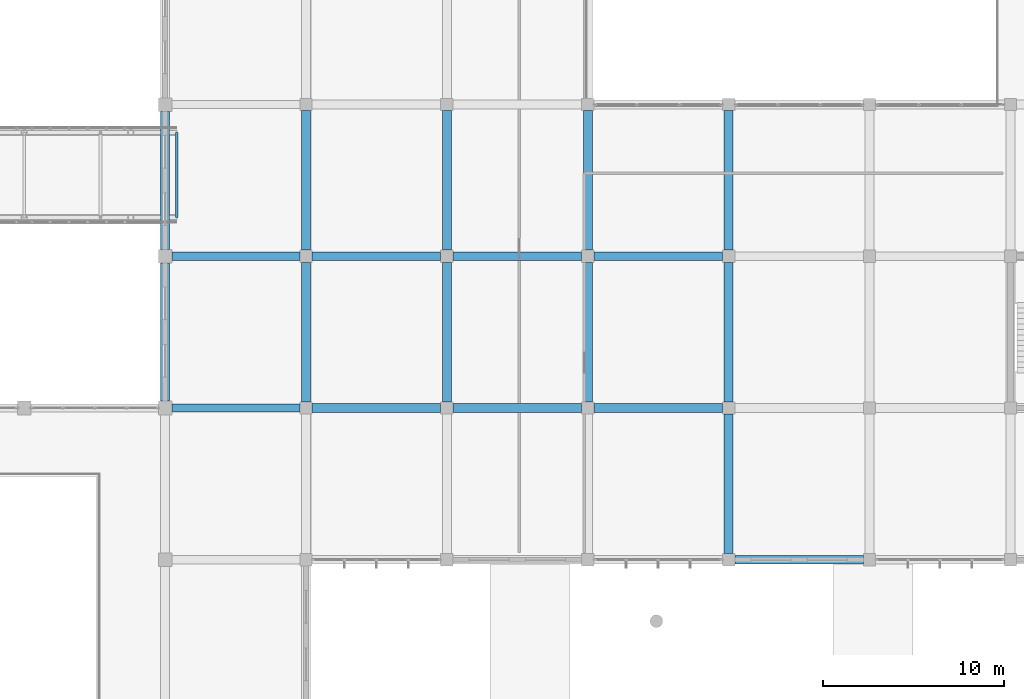
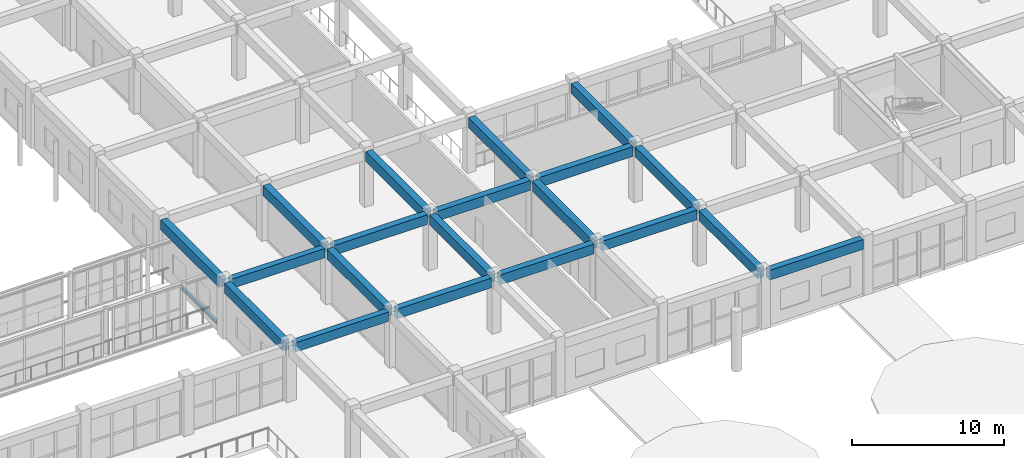
# One storey, part 93 of 175: 21 beams.
"""IFC4 building model written with IfcOpenShell, lengths in metres."""

from ifc_helpers import new_model, si_unit, direction, frame, origin, origin_2d, place, context, subcontext, project, spatial, rectangle, i_section, extrude, material, material_profile, profile_set, type_object, element, save


model = new_model("IFC4")

# Units and contexts
model_context = context("Model", 3, precision=1e-05, world=origin(), true_north=direction((0.0, 1.0)))
body_context = subcontext(model_context, "Body", "Model", "MODEL_VIEW")
ifc_project = project(units=[si_unit("LENGTHUNIT", "METRE"), si_unit("AREAUNIT", "SQUARE_METRE"), si_unit("VOLUMEUNIT", "CUBIC_METRE"), si_unit("PLANEANGLEUNIT", "RADIAN"), si_unit("MASSUNIT", "GRAM", prefix="KILO")], contexts=[model_context])

# Site, building, storey
site_placement = place(None, origin())
site = spatial("IfcSite", under=ifc_project, at=site_placement, CompositionType="ELEMENT")
building_placement = place(site_placement, origin())
building = spatial("IfcBuilding", under=site, at=building_placement, Name="Zizhar Promenade General Hospital", CompositionType="ELEMENT")
storey_placement = place(building_placement, frame((0.0, 0.0, 4.800048828125)))
storey = spatial("IfcBuildingStorey", under=building, at=storey_placement, Name="L01", CompositionType="ELEMENT", Elevation=4.800048828125)

# Beams
ifc_material_1 = material(Name="Concrete C35/45", Category="concrete")
ifc_material_profile_1 = material_profile(ifc_material_1, rectangle(XDim=0.449951171875, YDim=0.75, at=origin_2d()))
ifc_profile_set_1 = profile_set([ifc_material_profile_1], Name="Concrete C35/45")
beam_type_1 = type_object("IfcBeamType", Name="BM-RC-450x750", PredefinedType="BEAM", material=ifc_profile_set_1)
for number, where, z_axis, x_axis, name in (
    (1, (125.175048828125, 50.39990234375, 4.094970703125), (1.0, 0.0, 0.0), (0.0, 1.0, 0.0), "Grid Beam X L01 (16-6)"),
    (2, (125.175048828125, 58.800048828125, 4.094970703125), (1.0, 0.0, 0.0), (0.0, 1.0, 0.0), "Grid Beam X L01 (16-7)"),
):
    element("IfcBeam", number, at=place(storey_placement, frame(where, z_axis=z_axis, x_axis=x_axis)), inside=storey, type_object=beam_type_1, Name=name, PredefinedType="BEAM", context=body_context, shape_type="SweptSolid", body=[
        extrude(rectangle(XDim=0.449951171875, YDim=0.75, at=origin_2d()), origin(), (0.0, 0.0, 1.0), 7.0849609375),
    ])
ifc_material_2 = material(Name="Concrete C35/45", Category="concrete")
ifc_material_profile_2 = material_profile(ifc_material_2, rectangle(XDim=0.47998046875, YDim=0.780029296875, at=origin_2d()))
ifc_profile_set_2 = profile_set([ifc_material_profile_2], Name="Concrete C35/45")
beam_type_2 = type_object("IfcBeamType", Name="BM-RC-480x780", PredefinedType="BEAM", material=ifc_profile_set_2)
for number, where, z_axis, x_axis, name in (
    (3, (132.93994140625, 50.39990234375, 4.079833984375), (1.0, 0.0, 0.0), (0.0, 1.0, 0.0), "Grid Beam X L01 (17-6)"),
    (4, (132.93994140625, 58.800048828125, 4.079833984375), (1.0, 0.0, 0.0), (0.0, 1.0, 0.0), "Grid Beam X L01 (17-7)"),
    (5, (140.739990234375, 50.39990234375, 4.079833984375), (1.0, 0.0, 0.0), (0.0, 1.0, 0.0), "Grid Beam X L01 (18-6)"),
    (6, (140.739990234375, 58.800048828125, 4.079833984375), (1.0, 0.0, 0.0), (0.0, 1.0, 0.0), "Grid Beam X L01 (18-7)"),
):
    element("IfcBeam", number, at=place(storey_placement, frame(where, z_axis=z_axis, x_axis=x_axis)), inside=storey, type_object=beam_type_2, Name=name, PredefinedType="BEAM", context=body_context, shape_type="SweptSolid", body=[
        extrude(rectangle(XDim=0.47998046875, YDim=0.780029296875, at=origin_2d()), origin(), (0.0, 0.0, 1.0), 7.1201171875),
    ])
for number, where, z_axis, x_axis, name in (
    (7, (148.5400390625, 50.39990234375, 4.079833984375), (1.0, 0.0, 0.0), (0.0, 1.0, 0.0), "Grid Beam X L01 (19-6)"),
    (8, (148.5400390625, 58.800048828125, 4.079833984375), (1.0, 0.0, 0.0), (0.0, 1.0, 0.0), "Grid Beam X L01 (19-7)"),
    (9, (156.340087890625, 42.0, 4.079833984375), (1.0, 0.0, 0.0), (0.0, 1.0, 0.0), "Grid Beam X L01 (20-5)"),
):
    element("IfcBeam", number, at=place(storey_placement, frame(where, z_axis=z_axis, x_axis=x_axis)), inside=storey, type_object=beam_type_2, Name=name, PredefinedType="BEAM", context=body_context, shape_type="SweptSolid", body=[
        extrude(rectangle(XDim=0.47998046875, YDim=0.780029296875, at=origin_2d()), origin(), (0.0, 0.0, 1.0), 7.119873046875),
    ])
ifc_material_3 = material(Name="Concrete C35/45", Category="concrete")
ifc_material_profile_3 = material_profile(ifc_material_3, rectangle(XDim=0.5, YDim=0.800048828125, at=origin_2d()))
ifc_profile_set_3 = profile_set([ifc_material_profile_3], Name="Concrete C35/45")
beam_type_3 = type_object("IfcBeamType", Name="BM-RC-500x800", PredefinedType="BEAM", material=ifc_profile_set_3)
beam_1_placement = place(storey_placement, frame((124.800048828125, 50.77490234375, 4.070068359375), z_axis=(0.0, 1.0, 0.0), x_axis=(-1.0, 0.0, 0.0)))
element("IfcBeam", 10, at=beam_1_placement, inside=storey, type_object=beam_type_3, Name="Grid Beam Y L01 (16-6)", PredefinedType="BEAM", context=body_context, shape_type="SweptSolid", body=[
    extrude(rectangle(XDim=0.5, YDim=0.800048828125, at=origin_2d()), origin(), (0.0, 0.0, 1.0), 7.650146484375),
])
beam_2_placement = place(storey_placement, frame((124.800048828125, 59.175048828125, 4.070068359375), z_axis=(0.0, 1.0, 0.0), x_axis=(-1.0, 0.0, 0.0)))
element("IfcBeam", 11, at=beam_2_placement, inside=storey, type_object=beam_type_3, Name="Grid Beam Y L01 (16-7)", PredefinedType="BEAM", context=body_context, shape_type="SweptSolid", body=[
    extrude(rectangle(XDim=0.5, YDim=0.800048828125, at=origin_2d()), origin(), (0.0, 0.0, 1.0), 7.64990234375),
])
beam_3_placement = place(storey_placement, frame((132.60009765625, 50.739990234375, 4.070068359375), z_axis=(0.0, 1.0, 0.0), x_axis=(-1.0, 0.0, 0.0)))
element("IfcBeam", 12, at=beam_3_placement, inside=storey, type_object=beam_type_3, Name="Grid Beam Y L01 (17-6)", PredefinedType="BEAM", context=body_context, shape_type="SweptSolid", body=[
    extrude(rectangle(XDim=0.5, YDim=0.800048828125, at=origin_2d()), origin(), (0.0, 0.0, 1.0), 7.719970703125),
])
beam_4_placement = place(storey_placement, frame((132.60009765625, 59.139892578125, 4.070068359375), z_axis=(0.0, 1.0, 0.0), x_axis=(-1.0, 0.0, 0.0)))
element("IfcBeam", 13, at=beam_4_placement, inside=storey, type_object=beam_type_3, Name="Grid Beam Y L01 (17-7)", PredefinedType="BEAM", context=body_context, shape_type="SweptSolid", body=[
    extrude(rectangle(XDim=0.5, YDim=0.800048828125, at=origin_2d()), origin(), (0.0, 0.0, 1.0), 7.72021484375),
])
beam_5_placement = place(storey_placement, frame((140.39990234375, 50.739990234375, 4.070068359375), z_axis=(0.0, 1.0, 0.0), x_axis=(-1.0, 0.0, 0.0)))
element("IfcBeam", 14, at=beam_5_placement, inside=storey, type_object=beam_type_3, Name="Grid Beam Y L01 (18-6)", PredefinedType="BEAM", context=body_context, shape_type="SweptSolid", body=[
    extrude(rectangle(XDim=0.5, YDim=0.800048828125, at=origin_2d()), origin(), (0.0, 0.0, 1.0), 7.719970703125),
])
beam_6_placement = place(storey_placement, frame((140.39990234375, 59.139892578125, 4.070068359375), z_axis=(0.0, 1.0, 0.0), x_axis=(-1.0, 0.0, 0.0)))
element("IfcBeam", 15, at=beam_6_placement, inside=storey, type_object=beam_type_3, Name="Grid Beam Y L01 (18-7)", PredefinedType="BEAM", context=body_context, shape_type="SweptSolid", body=[
    extrude(rectangle(XDim=0.5, YDim=0.800048828125, at=origin_2d()), origin(), (0.0, 0.0, 1.0), 7.72021484375),
])
beam_7_placement = place(storey_placement, frame((148.199951171875, 50.739990234375, 4.070068359375), z_axis=(0.0, 1.0, 0.0), x_axis=(-1.0, 0.0, 0.0)))
element("IfcBeam", 16, at=beam_7_placement, inside=storey, type_object=beam_type_3, Name="Grid Beam Y L01 (19-6)", PredefinedType="BEAM", context=body_context, shape_type="SweptSolid", body=[
    extrude(rectangle(XDim=0.5, YDim=0.800048828125, at=origin_2d()), origin(), (0.0, 0.0, 1.0), 7.719970703125),
])
beam_8_placement = place(storey_placement, frame((148.199951171875, 59.139892578125, 4.070068359375), z_axis=(0.0, 1.0, 0.0), x_axis=(-1.0, 0.0, 0.0)))
element("IfcBeam", 17, at=beam_8_placement, inside=storey, type_object=beam_type_3, Name="Grid Beam Y L01 (19-7)", PredefinedType="BEAM", context=body_context, shape_type="SweptSolid", body=[
    extrude(rectangle(XDim=0.5, YDim=0.800048828125, at=origin_2d()), origin(), (0.0, 0.0, 1.0), 7.72021484375),
])
for number, where, z_axis, x_axis, name in (
    (18, (156.0, 42.340087890625, 4.070068359375), (0.0, 1.0, 0.0), (-1.0, 0.0, 0.0), "Grid Beam Y L01 (20-5)"),
    (19, (156.0, 50.739990234375, 4.070068359375), (0.0, 1.0, 0.0), (-1.0, 0.0, 0.0), "Grid Beam Y L01 (20-6)"),
):
    element("IfcBeam", number, at=place(storey_placement, frame(where, z_axis=z_axis, x_axis=x_axis)), inside=storey, type_object=beam_type_3, Name=name, PredefinedType="BEAM", context=body_context, shape_type="SweptSolid", body=[
        extrude(rectangle(XDim=0.5, YDim=0.800048828125, at=origin_2d()), origin(), (0.0, 0.0, 1.0), 7.719970703125),
    ])
beam_9_placement = place(storey_placement, frame((156.0, 59.139892578125, 4.070068359375), z_axis=(0.0, 1.0, 0.0), x_axis=(-1.0, 0.0, 0.0)))
element("IfcBeam", 20, at=beam_9_placement, inside=storey, type_object=beam_type_3, Name="Grid Beam Y L01 (20-7)", PredefinedType="BEAM", context=body_context, shape_type="SweptSolid", body=[
    extrude(rectangle(XDim=0.5, YDim=0.800048828125, at=origin_2d()), origin(), (0.0, 0.0, 1.0), 7.72021484375),
])
ifc_material_4 = material(Name="Steel S355", Category="steel")
ifc_material_profile_4 = material_profile(ifc_material_4, i_section(OverallWidth=0.14990234375, OverallDepth=0.300048828125, WebThickness=0.007080078125, FlangeThickness=0.0107421875, FilletRadius=0.014892578125, at=origin_2d()))
ifc_profile_set_4 = profile_set([ifc_material_profile_4], Name="Steel S355")
beam_type_4 = type_object("IfcBeamType", Name="BM-STL-IPE300", PredefinedType="JOIST", material=ifc_profile_set_4)
beam_10_placement = place(storey_placement, frame((125.449951171875, 60.949951171875, -0.5), z_axis=(0.0, 1.0, 0.0), x_axis=(-1.0, 0.0, 0.0)))
element("IfcBeam", 21, at=beam_10_placement, inside=storey, type_object=beam_type_4, Name="SB-1 Transverse Deck Beam 125.5", PredefinedType="JOIST", context=body_context, shape_type="SweptSolid", body=[
    extrude(i_section(OverallWidth=0.14990234375, OverallDepth=0.300048828125, WebThickness=0.007080078125, FlangeThickness=0.0107421875, FilletRadius=0.014892578125, at=origin_2d()), origin(), (0.0, 0.0, 1.0), 4.699951171875),
])

save(model, "model.ifc")
